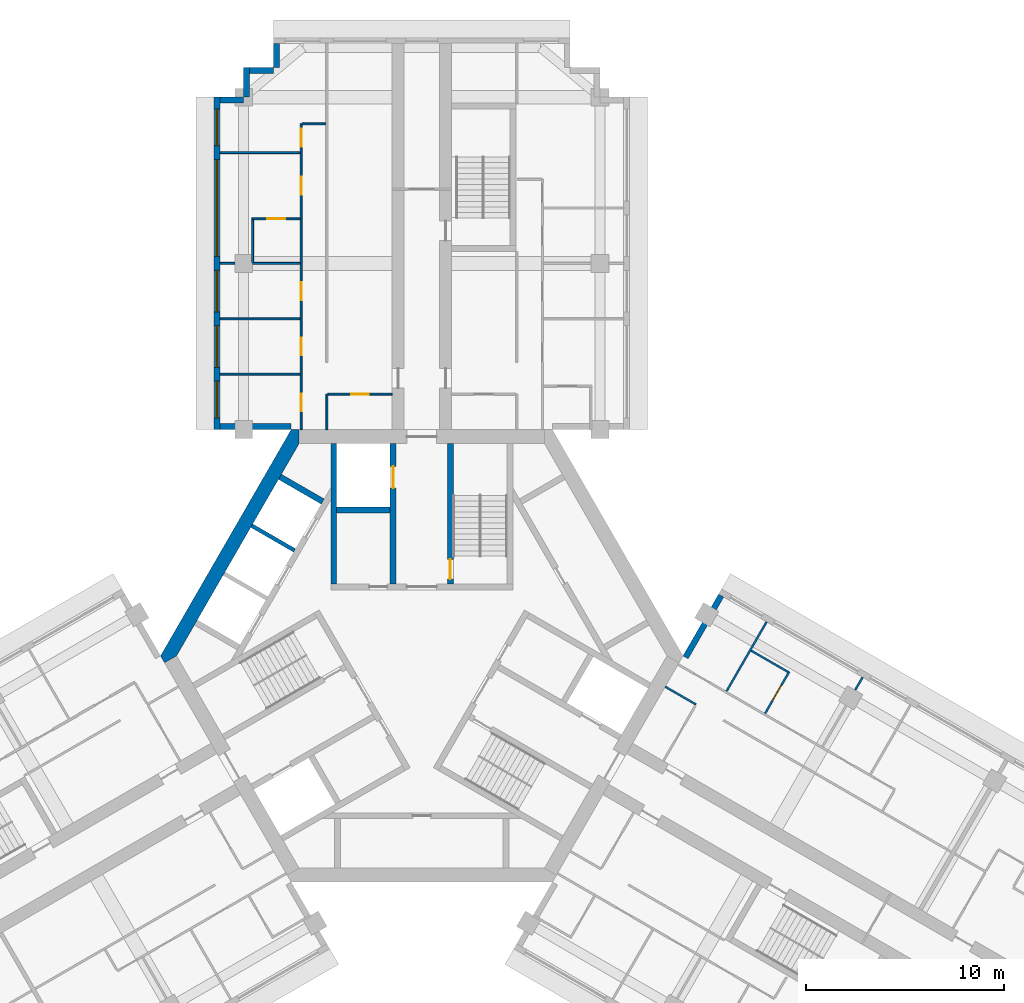
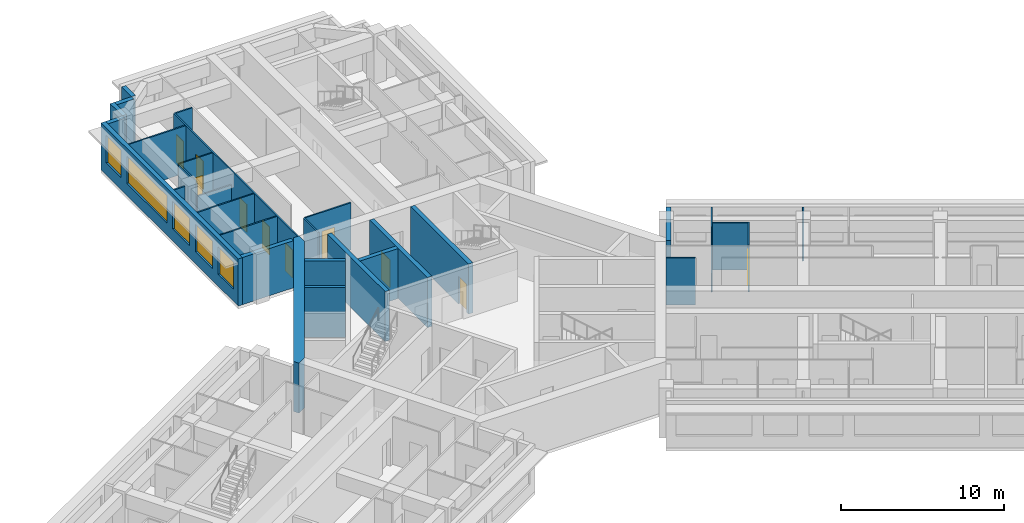
# One storey, part 7 of 11: 30 walls, 10 doors, 5 windows, 15 openings.
"""IFC4 building model written with IfcOpenShell, lengths in metres."""

from ifc_helpers import new_model, si_unit, direction, frame, frame_2d, origin, place, context, subcontext, project, spatial, polyline, rectangle, outline, extrude, material, layer, layer_set, type_object, element, fill, save


model = new_model("IFC4")

# Units and contexts
model_context = context("Model", 3, precision=1e-05, world=origin(), true_north=direction((0.0, 1.0)))
body_context = subcontext(model_context, "Body", "Model", "MODEL_VIEW")
ifc_project = project(units=[si_unit("LENGTHUNIT", "METRE"), si_unit("AREAUNIT", "SQUARE_METRE"), si_unit("VOLUMEUNIT", "CUBIC_METRE"), si_unit("PLANEANGLEUNIT", "RADIAN"), si_unit("MASSUNIT", "GRAM", prefix="KILO")], contexts=[model_context])

# Site, building, storey
site_placement = place(None, origin())
site = spatial("IfcSite", under=ifc_project, at=site_placement, CompositionType="ELEMENT")
building_placement = place(site_placement, origin())
building = spatial("IfcBuilding", under=site, at=building_placement, Name="Impinga Residences", CompositionType="ELEMENT")
storey_placement = place(building_placement, frame((0.0, 0.0, 207.25)))
storey = spatial("IfcBuildingStorey", under=building, at=storey_placement, Name="L51", CompositionType="ELEMENT", Elevation=207.25)

# Wall
ifc_material_1 = material(Name="Terracotta rainscreen on blockwork", Category="masonry")
ifc_layer_1 = layer(ifc_material_1, 0.300048828125)
ifc_layer_set_1 = layer_set([ifc_layer_1], Name="EW1 external wall, terracotta rainscreen on blockwork 300")
wall_type_1 = type_object("IfcWallType", Name="EW1 external wall, terracotta rainscreen on blockwork 300", PredefinedType="SOLIDWALL", material=ifc_layer_set_1)
wall_1_placement = place(storey_placement, frame((-6.60009765625, 11.58154296875, 0.0), z_axis=(0.0, 0.0, 1.0), x_axis=(-1.0, 0.0, 0.0)))
element("IfcWall", 1, at=wall_1_placement, inside=storey, type_object=wall_type_1, Name="External wall EW1 L51", PredefinedType="SOLIDWALL", context=body_context, shape_type="SweptSolid", body=[
    extrude(rectangle(XDim=3.599853515625, YDim=0.300048828125, at=frame_2d((1.7998046875, 0.0))), origin(), (0.0, 0.0, 1.0), 3.530029296875),
])

# Wall, openings, windows
wall_2_placement = place(storey_placement, frame((-10.35009765625, 11.431640625, 0.0), z_axis=(0.0, 0.0, 1.0), x_axis=(0.0, 1.0, 0.0)))
wall_2 = element("IfcWall", 2, at=wall_2_placement, inside=storey, type_object=wall_type_1, Name="External wall EW1 L51", PredefinedType="SOLIDWALL", context=body_context, shape_type="SweptSolid", body=[
    extrude(rectangle(XDim=16.7998046875, YDim=0.300048828125, at=frame_2d((8.39990234375, 0.0))), origin(), (0.0, 0.0, 1.0), 3.530029296875),
])
opening_1_placement = place(wall_2_placement, frame((0.60009765625, 0.0, 0.89990234375)))
opening_1 = element("IfcOpeningElement", 3, at=opening_1_placement, cuts=wall_2, Name="Opening W15", PredefinedType="OPENING", context=body_context, shape_type="SweptSolid", body=[
    extrude(rectangle(XDim=1.85009765625, YDim=2.050048828125, at=frame_2d((0.925048828125, 1.02490234375))), frame((0.0, 0.159912109375, 0.0), z_axis=(0.0, -1.0, 0.0), x_axis=(1.0, 0.0, 0.0)), (0.0, 0.0, 1.0), 0.320068359375),
])
opening_2_placement = place(wall_2_placement, frame((3.14990234375, 0.0, 0.89990234375)))
opening_2 = element("IfcOpeningElement", 4, at=opening_2_placement, cuts=wall_2, Name="Opening W9", PredefinedType="OPENING", context=body_context, shape_type="SweptSolid", body=[
    extrude(rectangle(XDim=2.10009765625, YDim=2.050048828125, at=frame_2d((1.050048828125, 1.02490234375))), frame((0.0, 0.159912109375, 0.0), z_axis=(0.0, -1.0, 0.0), x_axis=(1.0, 0.0, 0.0)), (0.0, 0.0, 1.0), 0.320068359375),
])
opening_3_placement = place(wall_2_placement, frame((5.949951171875, 0.0, 0.89990234375)))
opening_3 = element("IfcOpeningElement", 5, at=opening_3_placement, cuts=wall_2, Name="Opening W9", PredefinedType="OPENING", context=body_context, shape_type="SweptSolid", body=[
    extrude(rectangle(XDim=2.10009765625, YDim=2.050048828125, at=frame_2d((1.050048828125, 1.02490234375))), frame((0.0, 0.159912109375, 0.0), z_axis=(0.0, -1.0, 0.0), x_axis=(1.0, 0.0, 0.0)), (0.0, 0.0, 1.0), 0.320068359375),
])
opening_4_placement = place(wall_2_placement, frame((8.75, 0.0, 0.89990234375)))
opening_4 = element("IfcOpeningElement", 6, at=opening_4_placement, cuts=wall_2, Name="Opening W16", PredefinedType="OPENING", context=body_context, shape_type="SweptSolid", body=[
    extrude(rectangle(XDim=4.89990234375, YDim=2.050048828125, at=frame_2d((2.449951171875, 1.02490234375))), frame((0.0, 0.159912109375, 0.0), z_axis=(0.0, -1.0, 0.0), x_axis=(1.0, 0.0, 0.0)), (0.0, 0.0, 1.0), 0.320068359375),
])
opening_5_placement = place(wall_2_placement, frame((14.35009765625, 0.0, 0.89990234375)))
opening_5 = element("IfcOpeningElement", 7, at=opening_5_placement, cuts=wall_2, Name="Opening W15", PredefinedType="OPENING", context=body_context, shape_type="SweptSolid", body=[
    extrude(rectangle(XDim=1.85009765625, YDim=2.050048828125, at=frame_2d((0.925048828125, 1.02490234375))), frame((0.0, 0.159912109375, 0.0), z_axis=(0.0, -1.0, 0.0), x_axis=(1.0, 0.0, 0.0)), (0.0, 0.0, 1.0), 0.320068359375),
])
ifc_material_2 = material(Name="Aluminium window, clear double glazing", Category="aluminium")
window_type_1 = type_object("IfcWindowType", Name="W15 ribbon window 1850x2050", PartitioningType="SINGLE_PANEL", PredefinedType="WINDOW", material=ifc_material_2)
window_1_placement = place(opening_1_placement, origin())
window_1 = element("IfcWindow", 8, at=window_1_placement, inside=storey, type_object=window_type_1, Name="Window L51", OverallHeight=2.050048828125, OverallWidth=1.85009765625, PartitioningType="SINGLE_PANEL", PredefinedType="WINDOW", context=body_context, shape_type="SweptSolid", body=[
    extrude(rectangle(XDim=1.85009765625, YDim=2.050048828125, at=frame_2d((0.925048828125, 1.02490234375))), frame((0.0, 0.030029296875, 0.0), z_axis=(0.0, -1.0, 0.0), x_axis=(1.0, 0.0, 0.0)), (0.0, 0.0, 1.0), 0.06005859375),
])
fill(opening_1, window_1)
window_2_placement = place(opening_5_placement, origin())
window_2 = element("IfcWindow", 9, at=window_2_placement, inside=storey, type_object=window_type_1, Name="Window L51", OverallHeight=2.050048828125, OverallWidth=1.85009765625, PartitioningType="SINGLE_PANEL", PredefinedType="WINDOW", context=body_context, shape_type="SweptSolid", body=[
    extrude(rectangle(XDim=1.85009765625, YDim=2.050048828125, at=frame_2d((0.925048828125, 1.02490234375))), frame((0.0, 0.030029296875, 0.0), z_axis=(0.0, -1.0, 0.0), x_axis=(1.0, 0.0, 0.0)), (0.0, 0.0, 1.0), 0.06005859375),
])
fill(opening_5, window_2)
window_type_2 = type_object("IfcWindowType", Name="W16 ribbon window 4900x2050", PartitioningType="SINGLE_PANEL", PredefinedType="WINDOW", material=ifc_material_2)
window_3_placement = place(opening_4_placement, origin())
window_3 = element("IfcWindow", 10, at=window_3_placement, inside=storey, type_object=window_type_2, Name="Window L51", OverallHeight=2.050048828125, OverallWidth=4.89990234375, PartitioningType="SINGLE_PANEL", PredefinedType="WINDOW", context=body_context, shape_type="SweptSolid", body=[
    extrude(rectangle(XDim=4.89990234375, YDim=2.050048828125, at=frame_2d((2.449951171875, 1.02490234375))), frame((0.0, 0.030029296875, 0.0), z_axis=(0.0, -1.0, 0.0), x_axis=(1.0, 0.0, 0.0)), (0.0, 0.0, 1.0), 0.06005859375),
])
fill(opening_4, window_3)
window_type_3 = type_object("IfcWindowType", Name="W9 ribbon window 2100x2050", PartitioningType="SINGLE_PANEL", PredefinedType="WINDOW", material=ifc_material_2)
window_4_placement = place(opening_2_placement, origin())
window_4 = element("IfcWindow", 11, at=window_4_placement, inside=storey, type_object=window_type_3, Name="Window L51", OverallHeight=2.050048828125, OverallWidth=2.10009765625, PartitioningType="SINGLE_PANEL", PredefinedType="WINDOW", context=body_context, shape_type="SweptSolid", body=[
    extrude(rectangle(XDim=2.10009765625, YDim=2.050048828125, at=frame_2d((1.050048828125, 1.02490234375))), frame((0.0, 0.030029296875, 0.0), z_axis=(0.0, -1.0, 0.0), x_axis=(1.0, 0.0, 0.0)), (0.0, 0.0, 1.0), 0.06005859375),
])
fill(opening_2, window_4)
window_5_placement = place(opening_3_placement, origin())
window_5 = element("IfcWindow", 12, at=window_5_placement, inside=storey, type_object=window_type_3, Name="Window L51", OverallHeight=2.050048828125, OverallWidth=2.10009765625, PartitioningType="SINGLE_PANEL", PredefinedType="WINDOW", context=body_context, shape_type="SweptSolid", body=[
    extrude(rectangle(XDim=2.10009765625, YDim=2.050048828125, at=frame_2d((1.050048828125, 1.02490234375))), frame((0.0, 0.030029296875, 0.0), z_axis=(0.0, -1.0, 0.0), x_axis=(1.0, 0.0, 0.0)), (0.0, 0.0, 1.0), 0.06005859375),
])
fill(opening_3, window_5)

# Walls
wall_3_placement = place(storey_placement, frame((-10.199951171875, 28.08154296875, 0.0), z_axis=(0.0, 0.0, 1.0), x_axis=(1.0, 0.0, 0.0)))
element("IfcWall", 13, at=wall_3_placement, inside=storey, type_object=wall_type_1, Name="External wall EW1 L51", PredefinedType="SOLIDWALL", context=body_context, shape_type="SweptSolid", body=[
    extrude(rectangle(XDim=1.199951171875, YDim=0.300048828125, at=frame_2d((0.60009765625, 0.0))), origin(), (0.0, 0.0, 1.0), 3.530029296875),
])
wall_4_placement = place(storey_placement, frame((-8.85009765625, 28.236572265625, 0.0), z_axis=(0.0, 0.0, 1.0), x_axis=(0.0, 1.0, 0.0)))
element("IfcWall", 14, at=wall_4_placement, inside=storey, type_object=wall_type_1, Name="External wall EW1 L51", PredefinedType="SOLIDWALL", context=body_context, shape_type="SweptSolid", body=[
    extrude(rectangle(XDim=1.494873046875, YDim=0.300048828125, at=frame_2d((0.74755859375, 0.0))), origin(), (0.0, 0.0, 1.0), 3.530029296875),
])
wall_5_placement = place(storey_placement, frame((-8.699951171875, 29.58154296875, 0.0), z_axis=(0.0, 0.0, 1.0), x_axis=(1.0, 0.0, 0.0)))
element("IfcWall", 15, at=wall_5_placement, inside=storey, type_object=wall_type_1, Name="External wall EW1 L51", PredefinedType="SOLIDWALL", context=body_context, shape_type="SweptSolid", body=[
    extrude(rectangle(XDim=1.199951171875, YDim=0.300048828125, at=frame_2d((0.60009765625, 0.0))), origin(), (0.0, 0.0, 1.0), 3.530029296875),
])
wall_6_placement = place(storey_placement, frame((-7.35009765625, 29.736572265625, 0.0), z_axis=(0.0, 0.0, 1.0), x_axis=(0.0, 1.0, 0.0)))
element("IfcWall", 16, at=wall_6_placement, inside=storey, type_object=wall_type_1, Name="External wall EW1 L51", PredefinedType="SOLIDWALL", context=body_context, shape_type="SweptSolid", body=[
    extrude(rectangle(XDim=1.195068359375, YDim=0.300048828125, at=frame_2d((0.59765625, 0.0))), origin(), (0.0, 0.0, 1.0), 3.530029296875),
])
wall_7_placement = place(storey_placement, frame((13.329833984375, -0.074951171875, 0.0), z_axis=(0.0, 0.0, 1.0), x_axis=(0.500012057535, 0.866018442252, 0.0)))
element("IfcWall", 17, at=wall_7_placement, inside=storey, type_object=wall_type_1, Name="External wall EW1 L51", PredefinedType="SOLIDWALL", context=body_context, shape_type="SweptSolid", body=[
    extrude(rectangle(XDim=3.60009765625, YDim=0.300048828125, at=frame_2d((1.800048828125, 0.0))), origin(), (0.0, 0.0, 1.0), 3.530029296875),
])
ifc_material_3 = material(Name="Gypsum board on steel studs", Category="steel")
ifc_layer_2 = layer(ifc_material_3, 0.10009765625)
ifc_layer_set_2 = layer_set([ifc_layer_2], Name="Gypsum board on steel studs")
wall_type_2 = type_object("IfcWallType", Name="IP1 partition 100", PredefinedType="PARTITIONING", material=ifc_layer_set_2)
wall_8_placement = place(storey_placement, frame((-4.800048828125, 11.431640625, 0.0), z_axis=(0.0, 0.0, 1.0), x_axis=(0.0, 1.0, 0.0)))
element("IfcWall", 18, at=wall_8_placement, inside=storey, type_object=wall_type_2, Name="Partition L51-NA1:DIV0", PredefinedType="PARTITIONING", context=body_context, shape_type="SweptSolid", body=[
    extrude(rectangle(XDim=1.7998046875, YDim=0.10009765625, at=frame_2d((0.89990234375, 0.0))), origin(), (0.0, 0.0, 1.0), 3.530029296875),
])

# Wall, openings, doors
wall_9_placement = place(storey_placement, frame((-6.10009765625, 11.431640625, 0.0), z_axis=(0.0, 0.0, 1.0), x_axis=(0.0, 1.0, 0.0)))
wall_9 = element("IfcWall", 19, at=wall_9_placement, inside=storey, type_object=wall_type_2, Name="Partition L51-NA1:STRIP", PredefinedType="PARTITIONING", context=body_context, shape_type="SweptSolid", body=[
    extrude(rectangle(XDim=15.449951171875, YDim=0.10009765625, at=frame_2d((7.72509765625, 0.0))), origin(), (0.0, 0.0, 1.0), 3.530029296875),
])
opening_6_placement = place(wall_9_placement, frame((0.925048828125, 0.0, 0.0)))
opening_6 = element("IfcOpeningElement", 20, at=opening_6_placement, cuts=wall_9, Name="Opening D2", PredefinedType="OPENING", context=body_context, shape_type="SweptSolid", body=[
    extrude(rectangle(XDim=0.89990234375, YDim=2.10009765625, at=frame_2d((0.449951171875, 1.050048828125))), frame((0.0, 0.06005859375, 0.0), z_axis=(0.0, -1.0, 0.0), x_axis=(1.0, 0.0, 0.0)), (0.0, 0.0, 1.0), 0.1201171875),
])
opening_7_placement = place(wall_9_placement, frame((3.75, 0.0, 0.0)))
opening_7 = element("IfcOpeningElement", 21, at=opening_7_placement, cuts=wall_9, Name="Opening D2", PredefinedType="OPENING", context=body_context, shape_type="SweptSolid", body=[
    extrude(rectangle(XDim=0.89990234375, YDim=2.10009765625, at=frame_2d((0.449951171875, 1.050048828125))), frame((0.0, 0.06005859375, 0.0), z_axis=(0.0, -1.0, 0.0), x_axis=(1.0, 0.0, 0.0)), (0.0, 0.0, 1.0), 0.1201171875),
])
opening_8_placement = place(wall_9_placement, frame((6.550048828125, 0.0, 0.0)))
opening_8 = element("IfcOpeningElement", 22, at=opening_8_placement, cuts=wall_9, Name="Opening D2", PredefinedType="OPENING", context=body_context, shape_type="SweptSolid", body=[
    extrude(rectangle(XDim=0.89990234375, YDim=2.10009765625, at=frame_2d((0.449951171875, 1.050048828125))), frame((0.0, 0.06005859375, 0.0), z_axis=(0.0, -1.0, 0.0), x_axis=(1.0, 0.0, 0.0)), (0.0, 0.0, 1.0), 0.1201171875),
])
opening_9_placement = place(wall_9_placement, frame((11.875, 0.0, 0.0)))
opening_9 = element("IfcOpeningElement", 23, at=opening_9_placement, cuts=wall_9, Name="Opening D2", PredefinedType="OPENING", context=body_context, shape_type="SweptSolid", body=[
    extrude(rectangle(XDim=0.89990234375, YDim=2.10009765625, at=frame_2d((0.449951171875, 1.050048828125))), frame((0.0, 0.06005859375, 0.0), z_axis=(0.0, -1.0, 0.0), x_axis=(1.0, 0.0, 0.0)), (0.0, 0.0, 1.0), 0.1201171875),
])
opening_10_placement = place(wall_9_placement, frame((14.300048828125, 0.0, 0.0)))
opening_10 = element("IfcOpeningElement", 24, at=opening_10_placement, cuts=wall_9, Name="Opening D2", PredefinedType="OPENING", context=body_context, shape_type="SweptSolid", body=[
    extrude(rectangle(XDim=0.89990234375, YDim=2.10009765625, at=frame_2d((0.449951171875, 1.050048828125))), frame((0.0, 0.06005859375, 0.0), z_axis=(0.0, -1.0, 0.0), x_axis=(1.0, 0.0, 0.0)), (0.0, 0.0, 1.0), 0.1201171875),
])
ifc_material_4 = material(Name="Timber door set", Category="wood")
door_type_1 = type_object("IfcDoorType", Name="D2 internal door 900x2100", OperationType="SINGLE_SWING_LEFT", PredefinedType="DOOR", material=ifc_material_4)
door_1_placement = place(opening_6_placement, origin())
door_1 = element("IfcDoor", 25, at=door_1_placement, inside=storey, type_object=door_type_1, Name="Apartment L51-NA1 room door", OperationType="SINGLE_SWING_LEFT", OverallHeight=2.10009765625, OverallWidth=0.89990234375, PredefinedType="DOOR", context=body_context, shape_type="SweptSolid", body=[
    extrude(rectangle(XDim=0.89990234375, YDim=2.10009765625, at=frame_2d((0.449951171875, 1.050048828125))), frame((0.0, 0.02490234375, 0.0), z_axis=(0.0, -1.0, 0.0), x_axis=(1.0, 0.0, 0.0)), (0.0, 0.0, 1.0), 0.050048828125),
])
fill(opening_6, door_1)
door_2_placement = place(opening_7_placement, origin())
door_2 = element("IfcDoor", 26, at=door_2_placement, inside=storey, type_object=door_type_1, Name="Apartment L51-NA1 room door", OperationType="SINGLE_SWING_LEFT", OverallHeight=2.10009765625, OverallWidth=0.89990234375, PredefinedType="DOOR", context=body_context, shape_type="SweptSolid", body=[
    extrude(rectangle(XDim=0.89990234375, YDim=2.10009765625, at=frame_2d((0.449951171875, 1.050048828125))), frame((0.0, 0.02490234375, 0.0), z_axis=(0.0, -1.0, 0.0), x_axis=(1.0, 0.0, 0.0)), (0.0, 0.0, 1.0), 0.050048828125),
])
fill(opening_7, door_2)
door_3_placement = place(opening_8_placement, origin())
door_3 = element("IfcDoor", 27, at=door_3_placement, inside=storey, type_object=door_type_1, Name="Apartment L51-NA1 room door", OperationType="SINGLE_SWING_LEFT", OverallHeight=2.10009765625, OverallWidth=0.89990234375, PredefinedType="DOOR", context=body_context, shape_type="SweptSolid", body=[
    extrude(rectangle(XDim=0.89990234375, YDim=2.10009765625, at=frame_2d((0.449951171875, 1.050048828125))), frame((0.0, 0.02490234375, 0.0), z_axis=(0.0, -1.0, 0.0), x_axis=(1.0, 0.0, 0.0)), (0.0, 0.0, 1.0), 0.050048828125),
])
fill(opening_8, door_3)
door_4_placement = place(opening_9_placement, origin())
door_4 = element("IfcDoor", 28, at=door_4_placement, inside=storey, type_object=door_type_1, Name="Apartment L51-NA1 room door", OperationType="SINGLE_SWING_RIGHT", OverallHeight=2.10009765625, OverallWidth=0.89990234375, PredefinedType="DOOR", context=body_context, shape_type="SweptSolid", body=[
    extrude(rectangle(XDim=0.89990234375, YDim=2.10009765625, at=frame_2d((0.449951171875, 1.050048828125))), frame((0.0, 0.02490234375, 0.0), z_axis=(0.0, -1.0, 0.0), x_axis=(1.0, 0.0, 0.0)), (0.0, 0.0, 1.0), 0.050048828125),
])
fill(opening_9, door_4)
door_5_placement = place(opening_10_placement, origin())
door_5 = element("IfcDoor", 29, at=door_5_placement, inside=storey, type_object=door_type_1, Name="Apartment L51-NA1 room door", OperationType="SINGLE_SWING_RIGHT", OverallHeight=2.10009765625, OverallWidth=0.89990234375, PredefinedType="DOOR", context=body_context, shape_type="SweptSolid", body=[
    extrude(rectangle(XDim=0.89990234375, YDim=2.10009765625, at=frame_2d((0.449951171875, 1.050048828125))), frame((0.0, 0.02490234375, 0.0), z_axis=(0.0, -1.0, 0.0), x_axis=(1.0, 0.0, 0.0)), (0.0, 0.0, 1.0), 0.050048828125),
])
fill(opening_10, door_5)

# Wall
wall_10_placement = place(storey_placement, frame((-4.85009765625, 26.881591796875, 0.0), z_axis=(0.0, 0.0, 1.0), x_axis=(-1.0, 0.0, 0.0)))
element("IfcWall", 30, at=wall_10_placement, inside=storey, type_object=wall_type_2, Name="Partition L51-NA1:SE1", PredefinedType="PARTITIONING", context=body_context, shape_type="SweptSolid", body=[
    extrude(rectangle(XDim=1.199951171875, YDim=0.10009765625, at=frame_2d((0.60009765625, 0.0))), origin(), (0.0, 0.0, 1.0), 3.530029296875),
])

# Wall, opening, door
wall_11_placement = place(storey_placement, frame((-1.5, 13.2314453125, 0.0), z_axis=(0.0, 0.0, 1.0), x_axis=(-1.0, 0.0, 0.0)))
wall_11 = element("IfcWall", 31, at=wall_11_placement, inside=storey, type_object=wall_type_2, Name="Partition L51-NA1:IB1", PredefinedType="PARTITIONING", context=body_context, shape_type="SweptSolid", body=[
    extrude(rectangle(XDim=3.25, YDim=0.10009765625, at=frame_2d((1.625, 0.0))), origin(), (0.0, 0.0, 1.0), 3.530029296875),
])
opening_11_placement = place(wall_11_placement, frame((1.175048828125, 0.0, 0.0)))
opening_11 = element("IfcOpeningElement", 32, at=opening_11_placement, cuts=wall_11, Name="Opening D2", PredefinedType="OPENING", context=body_context, shape_type="SweptSolid", body=[
    extrude(rectangle(XDim=0.89990234375, YDim=2.10009765625, at=frame_2d((0.449951171875, 1.050048828125))), frame((0.0, 0.06005859375, 0.0), z_axis=(0.0, -1.0, 0.0), x_axis=(1.0, 0.0, 0.0)), (0.0, 0.0, 1.0), 0.1201171875),
])
door_6_placement = place(opening_11_placement, origin())
door_6 = element("IfcDoor", 33, at=door_6_placement, inside=storey, type_object=door_type_1, Name="Apartment L51-NA1 bathroom door", OperationType="SINGLE_SWING_LEFT", OverallHeight=2.10009765625, OverallWidth=0.89990234375, PredefinedType="DOOR", context=body_context, shape_type="SweptSolid", body=[
    extrude(rectangle(XDim=0.89990234375, YDim=2.10009765625, at=frame_2d((0.449951171875, 1.050048828125))), frame((0.0, 0.02490234375, 0.0), z_axis=(0.0, -1.0, 0.0), x_axis=(1.0, 0.0, 0.0)), (0.0, 0.0, 1.0), 0.050048828125),
])
fill(opening_11, door_6)

# Walls
for number, where, z_axis, x_axis, name in (
    (34, (-6.14990234375, 14.2314453125, 0.0), (0.0, 0.0, 1.0), (-1.0, 0.0, 0.0), "Partition L51-NA1:OB1"),
    (35, (-6.14990234375, 17.031494140625, 0.0), (0.0, 0.0, 1.0), (-1.0, 0.0, 0.0), "Partition L51-NA1:OB2"),
):
    element("IfcWall", number, at=place(storey_placement, frame(where, z_axis=z_axis, x_axis=x_axis)), inside=storey, type_object=wall_type_2, Name=name, PredefinedType="PARTITIONING", context=body_context, shape_type="SweptSolid", body=[
        extrude(rectangle(XDim=4.050048828125, YDim=0.10009765625, at=frame_2d((2.02490234375, 0.0))), origin(), (0.0, 0.0, 1.0), 3.530029296875),
    ])
wall_12_placement = place(storey_placement, frame((-6.14990234375, 19.83154296875, 0.0), z_axis=(0.0, 0.0, 1.0), x_axis=(-1.0, 0.0, 0.0)))
element("IfcWall", 36, at=wall_12_placement, inside=storey, type_object=wall_type_2, Name="Partition L51-NA1:OB3", PredefinedType="PARTITIONING", context=body_context, shape_type="SweptSolid", body=[
    extrude(rectangle(XDim=2.400146484375, YDim=0.10009765625, at=frame_2d((1.2001953125, 0.0))), origin(), (0.0, 0.0, 1.0), 2.47998046875),
])
wall_13_placement = place(storey_placement, frame((-9.449951171875, 19.83154296875, 0.0), z_axis=(0.0, 0.0, 1.0), x_axis=(-1.0, 0.0, 0.0)))
element("IfcWall", 37, at=wall_13_placement, inside=storey, type_object=wall_type_2, Name="Partition L51-NA1:OB3b", PredefinedType="PARTITIONING", context=body_context, shape_type="SweptSolid", body=[
    extrude(rectangle(XDim=0.75, YDim=0.10009765625, at=frame_2d((0.375, 0.0))), origin(), (0.0, 0.0, 1.0), 3.530029296875),
])
wall_14_placement = place(storey_placement, frame((-6.14990234375, 25.431640625, 0.0), z_axis=(0.0, 0.0, 1.0), x_axis=(-1.0, 0.0, 0.0)))
element("IfcWall", 38, at=wall_14_placement, inside=storey, type_object=wall_type_2, Name="Partition L51-NA1:OB4", PredefinedType="PARTITIONING", context=body_context, shape_type="SweptSolid", body=[
    extrude(rectangle(XDim=4.050048828125, YDim=0.10009765625, at=frame_2d((2.02490234375, 0.0))), origin(), (0.0, 0.0, 1.0), 3.530029296875),
])

# Wall, opening, door
wall_15_placement = place(storey_placement, frame((-6.14990234375, 22.08154296875, 0.0), z_axis=(0.0, 0.0, 1.0), x_axis=(-1.0, 0.0, 0.0)))
wall_15 = element("IfcWall", 39, at=wall_15_placement, inside=storey, type_object=wall_type_2, Name="Partition L51-NA1:EN1", PredefinedType="PARTITIONING", context=body_context, shape_type="SweptSolid", body=[
    extrude(rectangle(XDim=2.4501953125, YDim=0.10009765625, at=frame_2d((1.22509765625, 0.0))), origin(), (0.0, 0.0, 1.0), 3.530029296875),
])
opening_12_placement = place(wall_15_placement, frame((0.75, 0.0, 0.0)))
opening_12 = element("IfcOpeningElement", 40, at=opening_12_placement, cuts=wall_15, Name="Opening D2", PredefinedType="OPENING", context=body_context, shape_type="SweptSolid", body=[
    extrude(rectangle(XDim=0.89990234375, YDim=2.10009765625, at=frame_2d((0.449951171875, 1.050048828125))), frame((0.0, 0.06005859375, 0.0), z_axis=(0.0, -1.0, 0.0), x_axis=(1.0, 0.0, 0.0)), (0.0, 0.0, 1.0), 0.1201171875),
])
door_7_placement = place(opening_12_placement, origin())
door_7 = element("IfcDoor", 41, at=door_7_placement, inside=storey, type_object=door_type_1, Name="Apartment L51-NA1 en-suite door", OperationType="SINGLE_SWING_LEFT", OverallHeight=2.10009765625, OverallWidth=0.89990234375, PredefinedType="DOOR", context=body_context, shape_type="SweptSolid", body=[
    extrude(rectangle(XDim=0.89990234375, YDim=2.10009765625, at=frame_2d((0.449951171875, 1.050048828125))), frame((0.0, 0.02490234375, 0.0), z_axis=(0.0, -1.0, 0.0), x_axis=(1.0, 0.0, 0.0)), (0.0, 0.0, 1.0), 0.050048828125),
])
fill(opening_12, door_7)

# Walls
wall_16_placement = place(storey_placement, frame((-8.550048828125, 19.881591796875, 0.0), z_axis=(0.0, 0.0, 1.0), x_axis=(0.0, 1.0, 0.0)))
element("IfcWall", 42, at=wall_16_placement, inside=storey, type_object=wall_type_2, Name="Partition L51-NA1:EN2", PredefinedType="PARTITIONING", context=body_context, shape_type="SweptSolid", body=[
    extrude(rectangle(XDim=2.14990234375, YDim=0.10009765625, at=frame_2d((1.074951171875, 0.0))), origin(), (0.0, 0.0, 1.0), 3.530029296875),
])
wall_17_placement = place(storey_placement, frame((12.300048828125, -1.558837890625, 0.0), z_axis=(0.0, 0.0, 1.0), x_axis=(0.866047807691, -0.499961193289, 0.0)))
element("IfcWall", 43, at=wall_17_placement, inside=storey, type_object=wall_type_2, Name="Partition L51-EA1:DIV0", PredefinedType="PARTITIONING", context=body_context, shape_type="SweptSolid", body=[
    extrude(rectangle(XDim=1.800048828125, YDim=0.10009765625, at=frame_2d((0.89990234375, 0.0))), origin(), (0.0, 0.0, 1.0), 3.530029296875),
])
wall_18_placement = place(storey_placement, frame((15.39990234375, -1.789794921875, 0.0), z_axis=(0.0, 0.0, 1.0), x_axis=(0.499964223975, 0.866046058097, 0.0)))
element("IfcWall", 44, at=wall_18_placement, inside=storey, type_object=wall_type_2, Name="Partition L51-EA1:OB1", PredefinedType="PARTITIONING", context=body_context, shape_type="SweptSolid", body=[
    extrude(rectangle(XDim=4.050048828125, YDim=0.10009765625, at=frame_2d((2.02490234375, 0.0))), origin(), (0.0, 0.0, 1.0), 3.530029296875),
])
wall_19_placement = place(storey_placement, frame((21.899658203125, -1.73193359375, 0.0), z_axis=(0.0, 0.0, 1.0), x_axis=(0.499919672301, 0.866071776036, 0.0)))
element("IfcWall", 45, at=wall_19_placement, inside=storey, type_object=wall_type_2, Name="Partition L51-EA1:OB2b", PredefinedType="PARTITIONING", context=body_context, shape_type="SweptSolid", body=[
    extrude(rectangle(XDim=0.75, YDim=0.10009765625, at=frame_2d((0.375, 0.0))), origin(), (0.0, 0.0, 1.0), 3.530029296875),
])

# Wall, opening, door
wall_20_placement = place(storey_placement, frame((17.348388671875, -2.914794921875, 0.0), z_axis=(0.0, 0.0, 1.0), x_axis=(0.500018594424, 0.866014668023, 0.0)))
wall_20 = element("IfcWall", 46, at=wall_20_placement, inside=storey, type_object=wall_type_2, Name="Partition L51-EA1:EN1", PredefinedType="PARTITIONING", context=body_context, shape_type="SweptSolid", body=[
    extrude(rectangle(XDim=2.4501953125, YDim=0.10009765625, at=frame_2d((1.22509765625, 0.0))), origin(), (0.0, 0.0, 1.0), 3.530029296875),
])
opening_13_placement = place(wall_20_placement, frame((0.75, 0.0, 0.0)))
opening_13 = element("IfcOpeningElement", 47, at=opening_13_placement, cuts=wall_20, Name="Opening D2", PredefinedType="OPENING", context=body_context, shape_type="SweptSolid", body=[
    extrude(rectangle(XDim=0.89990234375, YDim=2.10009765625, at=frame_2d((0.449951171875, 1.050048828125))), frame((0.0, 0.06005859375, 0.0), z_axis=(0.0, -1.0, 0.0), x_axis=(1.0, 0.0, 0.0)), (0.0, 0.0, 1.0), 0.1201171875),
])
door_8_placement = place(opening_13_placement, origin())
door_8 = element("IfcDoor", 48, at=door_8_placement, inside=storey, type_object=door_type_1, Name="Apartment L51-EA1 en-suite door", OperationType="SINGLE_SWING_LEFT", OverallHeight=2.10009765625, OverallWidth=0.89990234375, PredefinedType="DOOR", context=body_context, shape_type="SweptSolid", body=[
    extrude(rectangle(XDim=0.89990234375, YDim=2.10009765625, at=frame_2d((0.449951171875, 1.050048828125))), frame((0.0, 0.02490234375, 0.0), z_axis=(0.0, -1.0, 0.0), x_axis=(1.0, 0.0, 0.0)), (0.0, 0.0, 1.0), 0.050048828125),
])
fill(opening_13, door_8)

# Walls
wall_21_placement = place(storey_placement, frame((16.64306640625, 0.263671875, 0.0), z_axis=(0.0, 0.0, 1.0), x_axis=(0.866047553582, -0.499961633463, 0.0)))
element("IfcWall", 49, at=wall_21_placement, inside=storey, type_object=wall_type_2, Name="Partition L51-EA1:EN2", PredefinedType="PARTITIONING", context=body_context, shape_type="SweptSolid", body=[
    extrude(rectangle(XDim=2.150146484375, YDim=0.10009765625, at=frame_2d((1.0751953125, 0.0))), origin(), (0.0, 0.0, 1.0), 3.530029296875),
])
ifc_material_5 = material(Name="Concrete C60/75", Category="concrete")
ifc_layer_3 = layer(ifc_material_5, 0.699951171875)
ifc_layer_set_3 = layer_set([ifc_layer_3], Name="Concrete C60/75")
wall_type_3 = type_object("IfcWallType", Name="SW3 core wall 700", PredefinedType="SHEAR", material=ifc_layer_set_3)
wall_22_placement = place(storey_placement, origin())
element("IfcWall", 50, at=wall_22_placement, inside=storey, type_object=wall_type_3, Name="Core wall SW3 E:EXPOSED L51", PredefinedType="SHEAR", context=body_context, shape_type="SweptSolid", body=[
    extrude(outline(polyline([(-6.60009765625, 11.431640625), (-13.199951171875, 0.0), (-12.998046875, -0.35009765625), (-12.3916015625, 0.0), (-6.19580078125, 10.7314453125), (-6.19580078125, 11.431640625), (-6.60009765625, 11.431640625)])), origin(), (0.0, 0.0, 1.0), 3.75),
])

# Wall, opening, door
ifc_material_6 = material(Name="Concrete C70/85", Category="concrete")
ifc_layer_4 = layer(ifc_material_6, 0.300048828125)
ifc_layer_set_4 = layer_set([ifc_layer_4], Name="Concrete C70/85")
wall_type_4 = type_object("IfcWallType", Name="SW5 core inner wall, stairs, shafts and lobbies 300", PredefinedType="SHEAR", material=ifc_layer_set_4)
wall_23_placement = place(storey_placement, frame((1.449951171875, 3.6298828125, 0.0), z_axis=(0.0, 0.0, 1.0), x_axis=(0.0, 1.0, 0.0)))
wall_23 = element("IfcWall", 51, at=wall_23_placement, inside=storey, type_object=wall_type_4, Name="Core wall SW5 N:ST-IN L51", PredefinedType="SHEAR", context=body_context, shape_type="SweptSolid", body=[
    extrude(rectangle(XDim=7.1015625, YDim=0.300048828125, at=frame_2d((3.55078125, 0.0))), origin(), (0.0, 0.0, 1.0), 3.75),
])
opening_14_placement = place(wall_23_placement, frame((0.25, 0.0, 0.0)))
opening_14 = element("IfcOpeningElement", 52, at=opening_14_placement, cuts=wall_23, Name="Opening D5", PredefinedType="OPENING", context=body_context, shape_type="SweptSolid", body=[
    extrude(rectangle(XDim=1.0, YDim=2.10009765625, at=frame_2d((0.5, 1.050048828125))), frame((0.0, 0.159912109375, 0.0), z_axis=(0.0, -1.0, 0.0), x_axis=(1.0, 0.0, 0.0)), (0.0, 0.0, 1.0), 0.320068359375),
])
door_type_2 = type_object("IfcDoorType", Name="D5 stair door 1000x2100", OperationType="SINGLE_SWING_LEFT", PredefinedType="DOOR", material=ifc_material_4)
door_9_placement = place(opening_14_placement, origin())
door_9 = element("IfcDoor", 53, at=door_9_placement, inside=storey, type_object=door_type_2, Name="Stair door N", OperationType="SINGLE_SWING_LEFT", OverallHeight=2.10009765625, OverallWidth=1.0, PredefinedType="DOOR", context=body_context, shape_type="SweptSolid", body=[
    extrude(rectangle(XDim=1.0, YDim=2.10009765625, at=frame_2d((0.5, 1.050048828125))), frame((0.0, 0.02490234375, 0.0), z_axis=(0.0, -1.0, 0.0), x_axis=(1.0, 0.0, 0.0)), (0.0, 0.0, 1.0), 0.050048828125),
])
fill(opening_14, door_9)

wall_24_placement = place(storey_placement, frame((-1.449951171875, 3.6298828125, 0.0), z_axis=(0.0, 0.0, 1.0), x_axis=(0.0, 1.0, 0.0)))
wall_24 = element("IfcWall", 54, at=wall_24_placement, inside=storey, type_object=wall_type_4, Name="Core wall SW5 N:FF-IN L51", PredefinedType="SHEAR", context=body_context, shape_type="SweptSolid", body=[
    extrude(rectangle(XDim=7.1015625, YDim=0.300048828125, at=frame_2d((3.55078125, 0.0))), origin(), (0.0, 0.0, 1.0), 3.75),
])
opening_15_placement = place(wall_24_placement, frame((4.85009765625, 0.0, 0.0)))
opening_15 = element("IfcOpeningElement", 55, at=opening_15_placement, cuts=wall_24, Name="Opening LD2", PredefinedType="OPENING", context=body_context, shape_type="SweptSolid", body=[
    extrude(rectangle(XDim=1.10009765625, YDim=2.10009765625, at=frame_2d((0.550048828125, 1.050048828125))), frame((0.0, 0.159912109375, 0.0), z_axis=(0.0, -1.0, 0.0), x_axis=(1.0, 0.0, 0.0)), (0.0, 0.0, 1.0), 0.320068359375),
])
ifc_material_7 = material(Name="Steel lift landing door", Category="steel")
door_type_3 = type_object("IfcDoorType", Name="LD2 firefighting lift landing door 1100x2100", OperationType="DOUBLE_DOOR_SLIDING", PredefinedType="DOOR", material=ifc_material_7)
door_10_placement = place(opening_15_placement, origin())
door_10 = element("IfcDoor", 56, at=door_10_placement, inside=storey, type_object=door_type_3, Name="Firefighting lift landing door F1", OperationType="DOUBLE_DOOR_SLIDING", OverallHeight=2.10009765625, OverallWidth=1.10009765625, PredefinedType="DOOR", context=body_context, shape_type="SweptSolid", body=[
    extrude(rectangle(XDim=1.10009765625, YDim=2.10009765625, at=frame_2d((0.550048828125, 1.050048828125))), frame((0.0, 0.02490234375, 0.0), z_axis=(0.0, -1.0, 0.0), x_axis=(1.0, 0.0, 0.0)), (0.0, 0.0, 1.0), 0.050048828125),
])
fill(opening_15, door_10)

# Walls
wall_25_placement = place(storey_placement, frame((-4.449951171875, 3.6298828125, 0.0), z_axis=(0.0, 0.0, 1.0), x_axis=(0.0, 1.0, 0.0)))
element("IfcWall", 57, at=wall_25_placement, inside=storey, type_object=wall_type_4, Name="Core wall SW5 N:FF-OUT L51", PredefinedType="SHEAR", context=body_context, shape_type="SweptSolid", body=[
    extrude(rectangle(XDim=7.1015625, YDim=0.300048828125, at=frame_2d((3.55078125, 0.0))), origin(), (0.0, 0.0, 1.0), 3.75),
])
wall_26_placement = place(storey_placement, frame((-4.300048828125, 7.3798828125, 0.0), z_axis=(0.0, 0.0, 1.0), x_axis=(1.0, 0.0, 0.0)))
element("IfcWall", 58, at=wall_26_placement, inside=storey, type_object=wall_type_4, Name="Core wall SW5 N:FF-RS L51", PredefinedType="SHEAR", context=body_context, shape_type="SweptSolid", body=[
    extrude(rectangle(XDim=2.699951171875, YDim=0.300048828125, at=frame_2d((1.35009765625, 0.0))), origin(), (0.0, 0.0, 1.0), 3.75),
])
wall_27_placement = place(storey_placement, frame((-5.003662109375, 7.79638671875, 0.0), z_axis=(0.0, 0.0, 1.0), x_axis=(-0.866022959057, 0.500004234368, 0.0)))
element("IfcWall", 59, at=wall_27_placement, inside=storey, type_object=wall_type_4, Name="Core wall SW5 E:BANK-R L51", PredefinedType="SHEAR", context=body_context, shape_type="SweptSolid", body=[
    extrude(rectangle(XDim=2.5, YDim=0.300048828125, at=frame_2d((1.25, 0.0))), origin(), (0.0, 0.0, 1.0), 3.75),
])
ifc_layer_5 = layer(ifc_material_6, 0.199951171875)
ifc_layer_set_5 = layer_set([ifc_layer_5], Name="Concrete C70/85")
wall_type_5 = type_object("IfcWallType", Name="SW6 lift shaft divider wall 200", PredefinedType="SHEAR", material=ifc_layer_set_5)
wall_28_placement = place(storey_placement, frame((-6.4287109375, 5.328125, 0.0), z_axis=(0.0, 0.0, 1.0), x_axis=(-0.866022959057, 0.500004234368, 0.0)))
element("IfcWall", 60, at=wall_28_placement, inside=storey, type_object=wall_type_5, Name="Core wall SW6 E:BANK-D2 L51", PredefinedType="SHEAR", context=body_context, shape_type="SweptSolid", body=[
    extrude(rectangle(XDim=2.5, YDim=0.199951171875, at=frame_2d((1.25, 0.0))), origin(), (0.0, 0.0, 1.0), 3.75),
])

save(model, "model.ifc")
